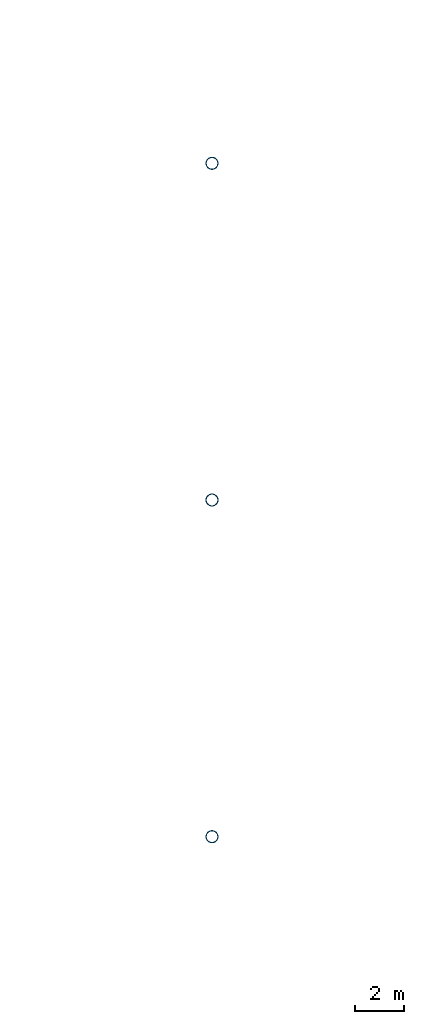
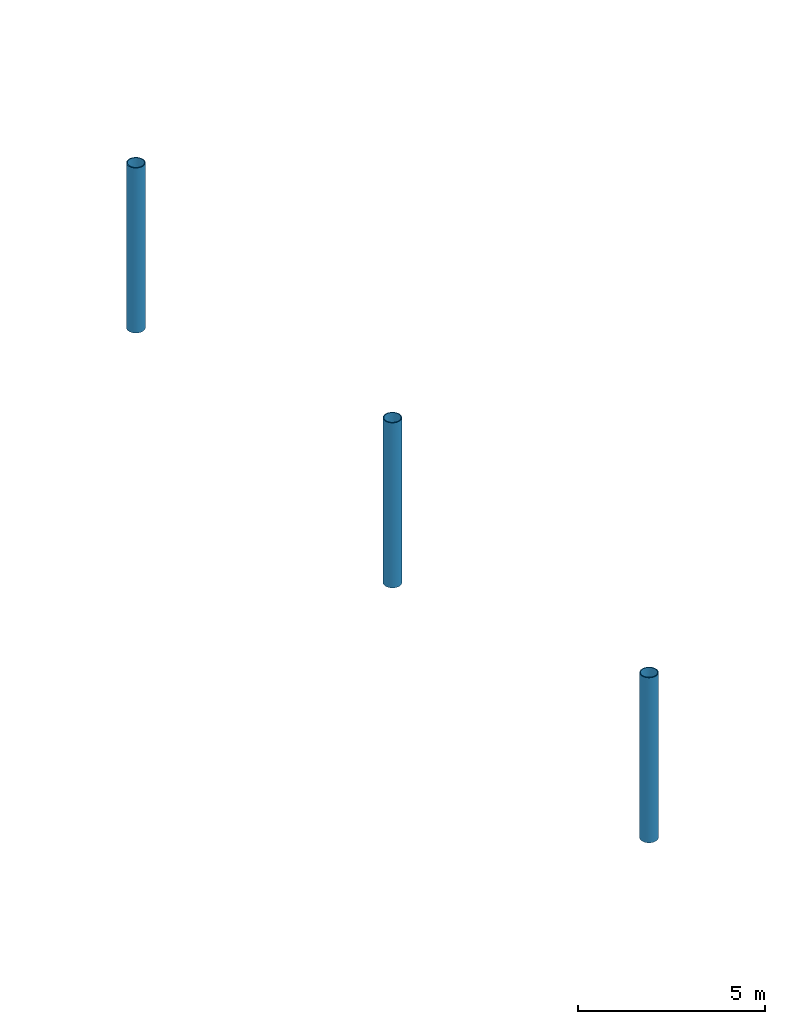
# One storey, part 5 of 90: 3 columns.
"""IFC4 building model written with IfcOpenShell, lengths in metres."""

from ifc_helpers import new_model, si_unit, direction, frame, origin, origin_2d, place, context, subcontext, project, spatial, hollow_circle, extrude, material, material_profile, profile_set, type_object, element, save


model = new_model("IFC4")

# Units and contexts
model_context = context("Model", 3, precision=1e-05, world=origin(), true_north=direction((0.0, 1.0)))
body_context = subcontext(model_context, "Body", "Model", "MODEL_VIEW")
ifc_project = project(units=[si_unit("LENGTHUNIT", "METRE"), si_unit("AREAUNIT", "SQUARE_METRE"), si_unit("VOLUMEUNIT", "CUBIC_METRE"), si_unit("PLANEANGLEUNIT", "RADIAN"), si_unit("MASSUNIT", "GRAM", prefix="KILO")], contexts=[model_context])

# Site, building, storey
site_placement = place(None, origin())
site = spatial("IfcSite", under=ifc_project, at=site_placement, CompositionType="ELEMENT")
building_placement = place(site_placement, origin())
building = spatial("IfcBuilding", under=site, at=building_placement, Name="Linyun Crest Stadium", CompositionType="ELEMENT")
storey_placement = place(building_placement, frame((0.0, 0.0, 21.0)))
storey = spatial("IfcBuildingStorey", under=building, at=storey_placement, Name="L05", CompositionType="ELEMENT", Elevation=21.0)

# Columns
ifc_material = material(Name="Steel Q355C", Category="steel")
ifc_material_profile = material_profile(ifc_material, hollow_circle(Radius=0.25390625, WallThickness=0.02490234375, at=origin_2d()), Name="CHS 508x25")
ifc_profile_set = profile_set([ifc_material_profile], Name="Steel Q355C")
column_type = type_object("IfcColumnType", Name="SC05", PredefinedType="COLUMN", material=ifc_profile_set)
for number, where, z_axis, x_axis, name in (
    (1, (-35.5, 15.875, 0.0), (0.0, 0.0, 1.0), (1.0, 0.0, 0.0), "Arch colonnade column SC05 L05 12"),
    (2, (-35.5, 29.625, 0.0), (0.0, 0.0, 1.0), (1.0, 0.0, 0.0), "Arch colonnade column SC05 L05 14"),
    (3, (-35.5, 43.375, 0.0), (0.0, 0.0, 1.0), (1.0, 0.0, 0.0), "Arch colonnade column SC05 L05 16"),
):
    element("IfcColumn", number, at=place(storey_placement, frame(where, z_axis=z_axis, x_axis=x_axis)), inside=storey, type_object=column_type, Name=name, PredefinedType="COLUMN", context=body_context, shape_type="SweptSolid", body=[
        extrude(hollow_circle(Radius=0.25390625, WallThickness=0.02490234375, at=origin_2d()), origin(), (0.0, 0.0, 1.0), 5.39990234375),
    ])

save(model, "model.ifc")
